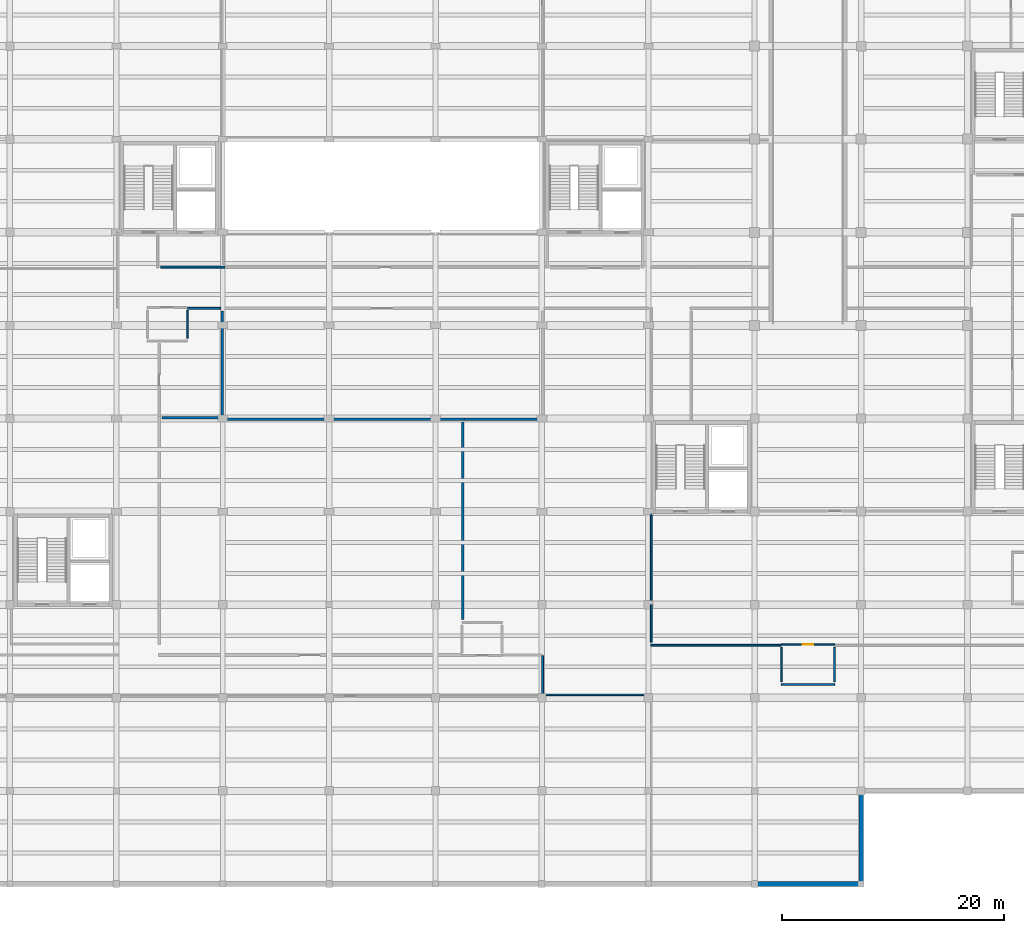
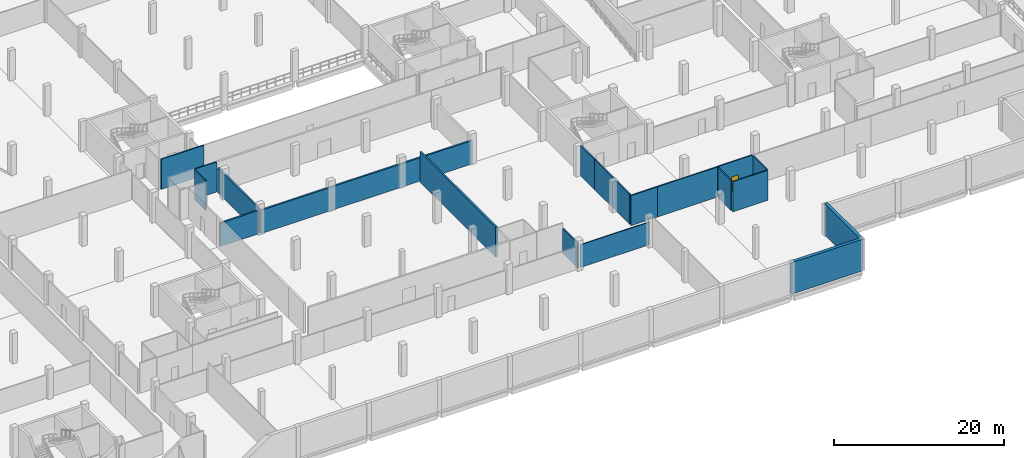
# One storey, part 19 of 30: 21 walls, 1 door, 1 opening.
"""IFC4 building model written with IfcOpenShell, lengths in metres."""

import ifcopenshell
import ifcopenshell.guid

model = None  # the IFC model being written
_history = None  # IfcOwnerHistory: only IFC2X3 demands one
_inside = {}  # id of a spatial element -> (the spatial element, [elements in it])
_under = {}  # id of a project, library or spatial element -> (it, [spatial elements below it])
_declared = {}  # id of a project -> (the project, [libraries it declares])
_typed = {}  # id of a type object -> (the type object, [elements of that type])
_made_of = {}  # id of a material, layer set ... -> (it, [elements and type objects made of it])


def new_model(schema):
    """Start an empty IFC model of exactly this schema.

    Asked for "IFC4X3", IfcOpenShell would pick the latest addendum, in which some entities
    have other attributes; the version numbers below select the first issue.
    IFC2X3 requires an IfcOwnerHistory on every rooted entity: one is made here for all.
    """
    global model, _history
    if schema == "IFC4X3":
        model = ifcopenshell.file(schema_version=(4, 3, 0, 0))
    else:
        model = ifcopenshell.file(schema=schema)
    _inside.clear()
    _under.clear()
    _declared.clear()
    _typed.clear()
    _made_of.clear()
    _history = None
    if model.schema == "IFC2X3":
        org = make("IfcOrganization", Name="unknown")
        user = make(
            "IfcPersonAndOrganization",
            ThePerson=make("IfcPerson", FamilyName="unknown"),
            TheOrganization=org,
        )
        app = make(
            "IfcApplication",
            ApplicationDeveloper=org,
            Version="unknown",
            ApplicationFullName="unknown",
            ApplicationIdentifier="unknown",
        )
        _history = make(
            "IfcOwnerHistory",
            OwningUser=user,
            OwningApplication=app,
            ChangeAction="ADDED",
            CreationDate=0,
        )
    return model


def make(cls, **values):
    """One entity of the class cls with the attributes given. An attribute that is None is left unset."""
    return model.create_entity(
        cls, **{name: value for name, value in values.items() if value is not None}
    )


def rooted(cls, **values):
    """An entity with a GlobalId (a new one), such as an element, a storey or a relation."""
    return make(cls, GlobalId=ifcopenshell.guid.new(), OwnerHistory=_history, **values)


def si_unit(unit_type, name, prefix=None):
    """IfcSIUnit, for example si_unit("LENGTHUNIT", "METRE", prefix="MILLI")."""
    return make("IfcSIUnit", UnitType=unit_type, Prefix=prefix, Name=name)


def assignment(units):
    """IfcUnitAssignment: the units of a project."""
    return None if units is None else make("IfcUnitAssignment", Units=units)


def point(xyz):
    """IfcCartesianPoint."""
    return None if xyz is None else make("IfcCartesianPoint", Coordinates=xyz)


def direction(xyz):
    """IfcDirection."""
    return None if xyz is None else make("IfcDirection", DirectionRatios=xyz)


def frame(location, z_axis=None, x_axis=None):
    """IfcAxis2Placement3D, a coordinate frame: its origin and axes. An axis left out is left unset."""
    return make(
        "IfcAxis2Placement3D",
        Location=point(location),
        Axis=direction(z_axis),
        RefDirection=direction(x_axis),
    )


def frame_2d(location, x_axis=None):
    """IfcAxis2Placement2D, a coordinate frame in the plane: its origin and x axis."""
    return make(
        "IfcAxis2Placement2D", Location=point(location), RefDirection=direction(x_axis)
    )


def origin():
    """The frame at (0, 0, 0) with its axes left unset."""
    return frame((0.0, 0.0, 0.0))


def place(relative_to, where):
    """IfcLocalPlacement: puts the frame where relative to a parent placement (None: the world)."""
    return make(
        "IfcLocalPlacement", PlacementRelTo=relative_to, RelativePlacement=where
    )


def context(
    kind, dimensions, precision=None, world=None, true_north=None, identifier=None
):
    """IfcGeometricRepresentationContext, for example the 3D "Model" context."""
    return make(
        "IfcGeometricRepresentationContext",
        ContextIdentifier=identifier,
        ContextType=kind,
        CoordinateSpaceDimension=dimensions,
        Precision=precision,
        WorldCoordinateSystem=world,
        TrueNorth=true_north,
    )


def subcontext(parent, identifier, kind, view, scale=None):
    """IfcGeometricRepresentationSubContext, for example "Body" below "Model"."""
    return make(
        "IfcGeometricRepresentationSubContext",
        ContextIdentifier=identifier,
        ContextType=kind,
        ParentContext=parent,
        TargetScale=scale,
        TargetView=view,
    )


def project(units=None, contexts=None):
    """IfcProject with its units and contexts."""
    return rooted(
        "IfcProject",
        Name="project",
        RepresentationContexts=contexts,
        UnitsInContext=assignment(units),
    )


def spatial(cls, under=None, at=None, **own):
    """A site, building, storey or space (cls), placed at a placement, below another one or the project."""
    s = rooted(cls, ObjectPlacement=at, **own)
    if under is not None:
        _under.setdefault(under.id(), (under, []))[1].append(s)
    return s


def profile(cls, at=None, kind="AREA", **sizes):
    """A parametric profile (cls). Its sizes go by their IFC names, for example OverallWidth=200.0."""
    return make(cls, ProfileType=kind, Position=at, **sizes)


def rectangle(**sizes):
    """IfcRectangleProfileDef."""
    return profile("IfcRectangleProfileDef", **sizes)


def extrude(swept, where, along, depth):
    """IfcExtrudedAreaSolid: the profile swept, set in the frame where, extruded along a direction by depth."""
    return make(
        "IfcExtrudedAreaSolid",
        SweptArea=swept,
        Position=where,
        ExtrudedDirection=direction(along),
        Depth=depth,
    )


def shape(context_of_items, identifier, shape_type, items):
    """IfcShapeRepresentation: the items that make up one representation, for example the "Body"."""
    return make(
        "IfcShapeRepresentation",
        ContextOfItems=context_of_items,
        RepresentationIdentifier=identifier,
        RepresentationType=shape_type,
        Items=items,
    )


def material(Name=None, Category=None):
    """IfcMaterial."""
    return make("IfcMaterial", Name=Name, Category=Category)


def layer(
    of_material, thickness, ventilated=None, Name=None, Category=None, Priority=None
):
    """IfcMaterialLayer: one layer of a wall or slab, of a material (None: an air gap)."""
    return make(
        "IfcMaterialLayer",
        Material=of_material,
        LayerThickness=thickness,
        IsVentilated=ventilated,
        Name=Name,
        Category=Category,
        Priority=Priority,
    )


def layer_set(layers, Name=None):
    """IfcMaterialLayerSet."""
    return make("IfcMaterialLayerSet", MaterialLayers=layers, LayerSetName=Name)


def made_of(thing, what):
    """Note that an element or type object is made of a material, layer set ...; save() writes the relation."""
    if what is not None:
        _made_of.setdefault(what.id(), (what, []))[1].append(thing)
    return thing


def type_object(cls, material=None, **own):
    """A type object (cls), such as IfcWallType, which elements share."""
    return made_of(rooted(cls, **own), material)


def element(
    cls,
    number,
    at=None,
    inside=None,
    cuts=None,
    type_object=None,
    material=None,
    context=None,
    identifier="Body",
    shape_type=None,
    held_by="IfcProductDefinitionShape",
    body=None,
    shapes=None,
    **own,
):
    """One element of the class cls, such as IfcWall. Its Tag is "e" and its number.

    at: its placement. inside: the storey or other place that contains it. cuts: it is an
    opening in that element (IfcRelVoidsElement). A single representation is given by context,
    identifier, shape_type and body (its items); several are given by shapes. held_by: the class
    of the entity that holds the representations. save() writes the other relations.
    """
    e = rooted(cls, Tag="e%d" % number, ObjectPlacement=at, **own)
    if body is not None:
        shapes = [shape(context, identifier, shape_type, body)]
    if shapes is not None:
        e.Representation = make(held_by, Representations=shapes)
    if inside is not None:
        _inside.setdefault(inside.id(), (inside, []))[1].append(e)
    if cuts is not None:
        rooted(
            "IfcRelVoidsElement", RelatingBuildingElement=cuts, RelatedOpeningElement=e
        )
    if type_object is not None:
        _typed.setdefault(type_object.id(), (type_object, []))[1].append(e)
    return made_of(e, material)


def fill(opening, filler):
    """IfcRelFillsElement: the door or window that sits in an opening."""
    return rooted(
        "IfcRelFillsElement",
        RelatingOpeningElement=opening,
        RelatedBuildingElement=filler,
    )


def aggregate(whole, parts):
    """IfcRelAggregates: a whole, such as a stair, and the parts it consists of."""
    return rooted("IfcRelAggregates", RelatingObject=whole, RelatedObjects=parts)


def save(model, path):
    """Write the relations noted so far, then the file.

    IfcRelAggregates (storeys below a building ...), IfcRelContainedInSpatialStructure (elements
    in a storey), IfcRelDefinesByType, IfcRelAssociatesMaterial and IfcRelDeclares: one each for
    every whole, place, type object, material and project.
    """
    for whole, parts in _under.values():
        aggregate(whole, parts)
    for where, things in _inside.values():
        rooted(
            "IfcRelContainedInSpatialStructure",
            RelatedElements=things,
            RelatingStructure=where,
        )
    for kind, things in _typed.values():
        rooted("IfcRelDefinesByType", RelatedObjects=things, RelatingType=kind)
    for what, things in _made_of.values():
        rooted("IfcRelAssociatesMaterial", RelatedObjects=things, RelatingMaterial=what)
    for by, libraries in _declared.values():
        rooted("IfcRelDeclares", RelatingContext=by, RelatedDefinitions=libraries)
    model.write(path)


model = new_model("IFC4")

# Units and contexts
model_context = context("Model", 3, precision=1e-05, world=origin(), true_north=direction((0.0, 1.0)))
body_context = subcontext(model_context, "Body", "Model", "MODEL_VIEW")
ifc_project = project(units=[si_unit("LENGTHUNIT", "METRE"), si_unit("AREAUNIT", "SQUARE_METRE"), si_unit("VOLUMEUNIT", "CUBIC_METRE"), si_unit("PLANEANGLEUNIT", "RADIAN"), si_unit("MASSUNIT", "GRAM", prefix="KILO")], contexts=[model_context])

# Site, building, storey
site_placement = place(None, origin())
site = spatial("IfcSite", under=ifc_project, at=site_placement, CompositionType="ELEMENT")
building_placement = place(site_placement, origin())
building = spatial("IfcBuilding", under=site, at=building_placement, Name="Lornevale Opera House", CompositionType="ELEMENT")
storey_placement = place(building_placement, frame((0.0, 0.0, -4.800048828125)))
storey = spatial("IfcBuildingStorey", under=building, at=storey_placement, Name="B1", CompositionType="ELEMENT", Elevation=-4.800048828125)

# Walls
ifc_material_1 = material(Name="Concrete 40 MPa (CSA A23.1 C-1)", Category="concrete")
ifc_layer_1 = layer(ifc_material_1, 0.419921875)
ifc_layer_set_1 = layer_set([ifc_layer_1], Name="Concrete 40 MPa (CSA A23.1 C-1)")
wall_type_1 = type_object("IfcWallType", Name="Basement Retaining Wall 420", PredefinedType="USERDEFINED", material=ifc_layer_set_1)
wall_1_placement = place(storey_placement, frame((124.800048828125, 0.0, 0.0), z_axis=(0.0, 0.0, 1.0), x_axis=(-1.0, 0.0, 0.0)))
element("IfcWall", 1, at=wall_1_placement, inside=storey, type_object=wall_type_1, Name="Basement Escarpment Plinth Wall WL-EXT-0103", ObjectType="RETAINING WALL", PredefinedType="USERDEFINED", context=body_context, shape_type="SweptSolid", body=[
    extrude(rectangle(XDim=9.60009765625, YDim=0.419921875, at=frame_2d((4.800048828125, 0.0))), origin(), (0.0, 0.0, 1.0), 4.550048828125),
])
wall_2_placement = place(storey_placement, frame((124.800048828125, 8.39990234375, 0.0), z_axis=(0.0, 0.0, 1.0), x_axis=(0.0, -1.0, 0.0)))
element("IfcWall", 2, at=wall_2_placement, inside=storey, type_object=wall_type_1, Name="Basement Escarpment Plinth Wall WL-EXT-0104", ObjectType="RETAINING WALL", PredefinedType="USERDEFINED", context=body_context, shape_type="SweptSolid", body=[
    extrude(rectangle(XDim=8.39990234375, YDim=0.419921875, at=frame_2d((4.199951171875, 0.0))), origin(), (0.0, 0.0, 1.0), 4.550048828125),
])
ifc_material_2 = material(Name="Acoustic Mineral-Core Gypsum Partition", Category="gypsum")
ifc_layer_2 = layer(ifc_material_2, 0.1650390625)
ifc_layer_set_2 = layer_set([ifc_layer_2], Name="Acoustic Mineral-Core Gypsum Partition")
wall_type_2 = type_object("IfcWallType", Name="Corridor Rated Partition 165", PredefinedType="PARTITIONING", material=ifc_layer_set_2)
wall_3_placement = place(storey_placement, frame((61.590087890625, 55.659912109375, 0.0), z_axis=(0.0, 0.0, 1.0), x_axis=(1.0, 0.0, 0.0)))
element("IfcWall", 3, at=wall_3_placement, inside=storey, type_object=wall_type_2, Name="B1 Partition WL-INT-0581", PredefinedType="PARTITIONING", context=body_context, shape_type="SweptSolid", body=[
    extrude(rectangle(XDim=5.809814453125, YDim=0.1650390625, at=frame_2d((2.90478515625, 0.0))), origin(), (0.0, 0.0, 1.0), 4.330078125),
])
wall_4_placement = place(storey_placement, frame((109.39990234375, 21.5400390625, 0.0), z_axis=(0.0, 0.0, 1.0), x_axis=(1.0, 0.0, 0.0)))
element("IfcWall", 4, at=wall_4_placement, inside=storey, type_object=wall_type_2, Name="B1 Partition WL-INT-0606", PredefinedType="PARTITIONING", context=body_context, shape_type="SweptSolid", body=[
    extrude(rectangle(XDim=8.14013671875, YDim=0.1650390625, at=frame_2d((4.070068359375, 0.0))), origin(), (0.0, 0.0, 1.0), 4.330078125),
])
wall_5_placement = place(storey_placement, frame((105.800048828125, 21.5400390625, 0.0), z_axis=(0.0, 0.0, 1.0), x_axis=(1.0, 0.0, 0.0)))
element("IfcWall", 5, at=wall_5_placement, inside=storey, type_object=wall_type_2, Name="B1 Partition WL-INT-0607", PredefinedType="PARTITIONING", context=body_context, shape_type="SweptSolid", body=[
    extrude(rectangle(XDim=3.599853515625, YDim=0.1650390625, at=frame_2d((1.7998046875, 0.0))), origin(), (0.0, 0.0, 1.0), 4.330078125),
])
wall_6_placement = place(storey_placement, frame((105.860107421875, 21.7900390625, 0.0), z_axis=(0.0, 0.0, 1.0), x_axis=(0.0, 1.0, 0.0)))
element("IfcWall", 6, at=wall_6_placement, inside=storey, type_object=wall_type_2, Name="B1 Partition WL-INT-0608", PredefinedType="PARTITIONING", context=body_context, shape_type="SweptSolid", body=[
    extrude(rectangle(XDim=3.409912109375, YDim=0.1650390625, at=frame_2d((1.705078125, 0.0))), origin(), (0.0, 0.0, 1.0), 4.330078125),
])
wall_7_placement = place(storey_placement, frame((105.860107421875, 25.199951171875, 0.0), z_axis=(0.0, 0.0, 1.0), x_axis=(0.0, 1.0, 0.0)))
element("IfcWall", 7, at=wall_7_placement, inside=storey, type_object=wall_type_2, Name="B1 Partition WL-INT-0609", PredefinedType="PARTITIONING", context=body_context, shape_type="SweptSolid", body=[
    extrude(rectangle(XDim=4.800048828125, YDim=0.1650390625, at=frame_2d((2.39990234375, 0.0))), origin(), (0.0, 0.0, 1.0), 4.330078125),
])
wall_8_placement = place(storey_placement, frame((105.860107421875, 30.0, 0.0), z_axis=(0.0, 0.0, 1.0), x_axis=(0.0, 1.0, 0.0)))
element("IfcWall", 8, at=wall_8_placement, inside=storey, type_object=wall_type_2, Name="B1 Partition WL-INT-0610", PredefinedType="PARTITIONING", context=body_context, shape_type="SweptSolid", body=[
    extrude(rectangle(XDim=3.43994140625, YDim=0.1650390625, at=frame_2d((1.719970703125, 0.0))), origin(), (0.0, 0.0, 1.0), 4.330078125),
])
wall_9_placement = place(storey_placement, frame((96.06005859375, 17.0, 0.0), z_axis=(0.0, 0.0, 1.0), x_axis=(0.0, 1.0, 0.0)))
element("IfcWall", 9, at=wall_9_placement, inside=storey, type_object=wall_type_2, Name="B1 Partition WL-INT-0614", PredefinedType="PARTITIONING", context=body_context, shape_type="SweptSolid", body=[
    extrude(rectangle(XDim=3.60009765625, YDim=0.1650390625, at=frame_2d((1.800048828125, 0.0))), origin(), (0.0, 0.0, 1.0), 3.56005859375),
])
wall_10_placement = place(storey_placement, frame((64.06005859375, 51.93994140625, 0.0), z_axis=(0.0, 0.0, 1.0), x_axis=(1.0, 0.0, 0.0)))
element("IfcWall", 10, at=wall_10_placement, inside=storey, type_object=wall_type_2, Name="B1 Partition WL-INT-0638", PredefinedType="PARTITIONING", context=body_context, shape_type="SweptSolid", body=[
    extrude(rectangle(XDim=2.93994140625, YDim=0.1650390625, at=frame_2d((1.469970703125, 0.0))), origin(), (0.0, 0.0, 1.0), 4.330078125),
])
ifc_layer_3 = layer(ifc_material_2, 0.125)
ifc_layer_set_3 = layer_set([ifc_layer_3], Name="Acoustic Mineral-Core Gypsum Partition")
wall_type_3 = type_object("IfcWallType", Name="Dressing Suite Partition 125", PredefinedType="PARTITIONING", material=ifc_layer_set_3)
wall_11_placement = place(storey_placement, frame((96.31005859375, 17.06005859375, 0.0), z_axis=(0.0, 0.0, 1.0), x_axis=(1.0, 0.0, 0.0)))
element("IfcWall", 11, at=wall_11_placement, inside=storey, type_object=wall_type_3, Name="B1 Partition WL-INT-0654", PredefinedType="PARTITIONING", context=body_context, shape_type="SweptSolid", body=[
    extrude(rectangle(XDim=9.489990234375, YDim=0.125, at=frame_2d((4.7451171875, 0.0))), origin(), (0.0, 0.0, 1.0), 3.260009765625),
])
ifc_layer_4 = layer(ifc_material_2, 0.22998046875)
ifc_layer_set_4 = layer_set([ifc_layer_4], Name="Acoustic Mineral-Core Gypsum Partition")
wall_type_4 = type_object("IfcWallType", Name="Rehearsal Studio Acoustic Wall 230", PredefinedType="SOLIDWALL", material=ifc_layer_set_4)
wall_12_placement = place(storey_placement, frame((67.199951171875, 41.93994140625, 0.0), z_axis=(0.0, 0.0, 1.0), x_axis=(1.0, 0.0, 0.0)))
element("IfcWall", 12, at=wall_12_placement, inside=storey, type_object=wall_type_4, Name="B1 Partition WL-INT-0640", PredefinedType="SOLIDWALL", context=body_context, shape_type="SweptSolid", body=[
    extrude(rectangle(XDim=21.800048828125, YDim=0.22998046875, at=frame_2d((10.89990234375, 0.0))), origin(), (0.0, 0.0, 1.0), 3.360107421875),
])
wall_13_placement = place(storey_placement, frame((89.0, 41.93994140625, 0.0), z_axis=(0.0, 0.0, 1.0), x_axis=(1.0, 0.0, 0.0)))
element("IfcWall", 13, at=wall_13_placement, inside=storey, type_object=wall_type_4, Name="B1 Partition WL-INT-0642", PredefinedType="SOLIDWALL", context=body_context, shape_type="SweptSolid", body=[
    extrude(rectangle(XDim=7.0, YDim=0.22998046875, at=frame_2d((3.5, 0.0))), origin(), (0.0, 0.0, 1.0), 3.360107421875),
])
wall_14_placement = place(storey_placement, frame((67.139892578125, 42.0, 0.0), z_axis=(0.0, 0.0, 1.0), x_axis=(0.0, 1.0, 0.0)))
element("IfcWall", 14, at=wall_14_placement, inside=storey, type_object=wall_type_4, Name="B1 Partition WL-INT-0643", PredefinedType="SOLIDWALL", context=body_context, shape_type="SweptSolid", body=[
    extrude(rectangle(XDim=9.68994140625, YDim=0.22998046875, at=frame_2d((4.844970703125, 0.0))), origin(), (0.0, 0.0, 1.0), 3.56005859375),
])
wall_15_placement = place(storey_placement, frame((88.860107421875, 23.85009765625, 0.0), z_axis=(0.0, 0.0, 1.0), x_axis=(0.0, 1.0, 0.0)))
element("IfcWall", 15, at=wall_15_placement, inside=storey, type_object=wall_type_4, Name="B1 Partition WL-INT-0644", PredefinedType="SOLIDWALL", context=body_context, shape_type="SweptSolid", body=[
    extrude(rectangle(XDim=17.83984375, YDim=0.22998046875, at=frame_2d((8.919921875, 0.0))), origin(), (0.0, 0.0, 1.0), 4.330078125),
])
wall_16_placement = place(storey_placement, frame((61.7099609375, 42.06005859375, 0.0), z_axis=(0.0, 0.0, 1.0), x_axis=(1.0, 0.0, 0.0)))
element("IfcWall", 16, at=wall_16_placement, inside=storey, type_object=wall_type_4, Name="B1 Partition WL-INT-0645", PredefinedType="SOLIDWALL", context=body_context, shape_type="SweptSolid", body=[
    extrude(rectangle(XDim=5.179931640625, YDim=0.22998046875, at=frame_2d((2.58984375, 0.0))), origin(), (0.0, 0.0, 1.0), 3.360107421875),
])
ifc_material_3 = material(Name="Moisture-Resistant Ceramic & Gypsum Partition", Category="gypsum")
ifc_layer_5 = layer(ifc_material_3, 0.139892578125)
ifc_layer_set_5 = layer_set([ifc_layer_5], Name="Moisture-Resistant Ceramic & Gypsum Partition")
wall_type_5 = type_object("IfcWallType", Name="Washroom Moisture Partition 140", PredefinedType="PARTITIONING", material=ifc_layer_set_5)
wall_17_placement = place(storey_placement, frame((117.60009765625, 18.0, 0.0), z_axis=(0.0, 0.0, 1.0), x_axis=(1.0, 0.0, 0.0)))
element("IfcWall", 17, at=wall_17_placement, inside=storey, type_object=wall_type_5, Name="Lower Foyer Public Washroom East S Wall WL-INT-0436", PredefinedType="PARTITIONING", context=body_context, shape_type="SweptSolid", body=[
    extrude(rectangle(XDim=4.7998046875, YDim=0.139892578125, at=frame_2d((2.39990234375, 0.0))), origin(), (0.0, 0.0, 1.0), 4.320068359375),
])

# Wall, opening, door
wall_18_placement = place(storey_placement, frame((117.60009765625, 21.60009765625, 0.0), z_axis=(0.0, 0.0, 1.0), x_axis=(1.0, 0.0, 0.0)))
wall_18 = element("IfcWall", 18, at=wall_18_placement, inside=storey, type_object=wall_type_5, Name="Lower Foyer Public Washroom East N Wall WL-INT-0437", PredefinedType="PARTITIONING", context=body_context, shape_type="SweptSolid", body=[
    extrude(rectangle(XDim=4.7998046875, YDim=0.139892578125, at=frame_2d((2.39990234375, 0.0))), origin(), (0.0, 0.0, 1.0), 4.320068359375),
])
opening_placement = place(wall_18_placement, frame((1.925048828125, 0.0, 0.0)))
opening = element("IfcOpeningElement", 19, at=opening_placement, cuts=wall_18, Name="Opening DR-T22", PredefinedType="OPENING", context=body_context, shape_type="SweptSolid", body=[
    extrude(rectangle(XDim=0.949951171875, YDim=2.14990234375, at=frame_2d((0.47509765625, 1.074951171875))), frame((0.0, 0.079833984375, 0.0), z_axis=(0.0, -1.0, 0.0), x_axis=(1.0, 0.0, 0.0)), (0.0, 0.0, 1.0), 0.159912109375),
])
ifc_material_4 = material(Name="White Oak Acoustic Panelling", Category="wood")
ifc_layer_6 = layer(ifc_material_4, 2.14990234375)
ifc_layer_set_6 = layer_set([ifc_layer_6], Name="White Oak Acoustic Panelling")
door_type = type_object("IfcDoorType", Name="Washroom Door R 950x2150", OperationType="NOTDEFINED", PredefinedType="DOOR", material=ifc_layer_set_6)
door_placement = place(opening_placement, origin())
door = element("IfcDoor", 20, at=door_placement, inside=storey, type_object=door_type, Name="Lower Foyer Public Washroom East Door", OperationType="SINGLE_SWING_RIGHT", OverallHeight=2.14990234375, OverallWidth=0.949951171875, PredefinedType="DOOR", context=body_context, shape_type="SweptSolid", body=[
    extrude(rectangle(XDim=0.949951171875, YDim=2.14990234375, at=frame_2d((0.47509765625, 1.074951171875))), frame((0.0, 0.02490234375, 0.0), z_axis=(0.0, -1.0, 0.0), x_axis=(1.0, 0.0, 0.0)), (0.0, 0.0, 1.0), 0.050048828125),
])
fill(opening, door)

# Walls
for number, where, z_axis, x_axis, name in (
    (21, (117.60009765625, 18.25, 0.0), (0.0, 0.0, 1.0), (0.0, 1.0, 0.0), "Lower Foyer Public Washroom East W Wall WL-INT-0438"),
    (22, (122.39990234375, 18.25, 0.0), (0.0, 0.0, 1.0), (0.0, 1.0, 0.0), "Lower Foyer Public Washroom East E Wall WL-INT-0439"),
):
    element("IfcWall", number, at=place(storey_placement, frame(where, z_axis=z_axis, x_axis=x_axis)), inside=storey, type_object=wall_type_5, Name=name, PredefinedType="PARTITIONING", context=body_context, shape_type="SweptSolid", body=[
        extrude(rectangle(XDim=3.10009765625, YDim=0.139892578125, at=frame_2d((1.550048828125, 0.0))), origin(), (0.0, 0.0, 1.0), 4.320068359375),
    ])
wall_19_placement = place(storey_placement, frame((64.0, 49.25, 0.0), z_axis=(0.0, 0.0, 1.0), x_axis=(0.0, 1.0, 0.0)))
element("IfcWall", 23, at=wall_19_placement, inside=storey, type_object=wall_type_5, Name="Musician Warm-Up Accessible WC E Wall WL-INT-0447", PredefinedType="PARTITIONING", context=body_context, shape_type="SweptSolid", body=[
    extrude(rectangle(XDim=2.5, YDim=0.139892578125, at=frame_2d((1.25, 0.0))), origin(), (0.0, 0.0, 1.0), 4.320068359375),
])

save(model, "model.ifc")
